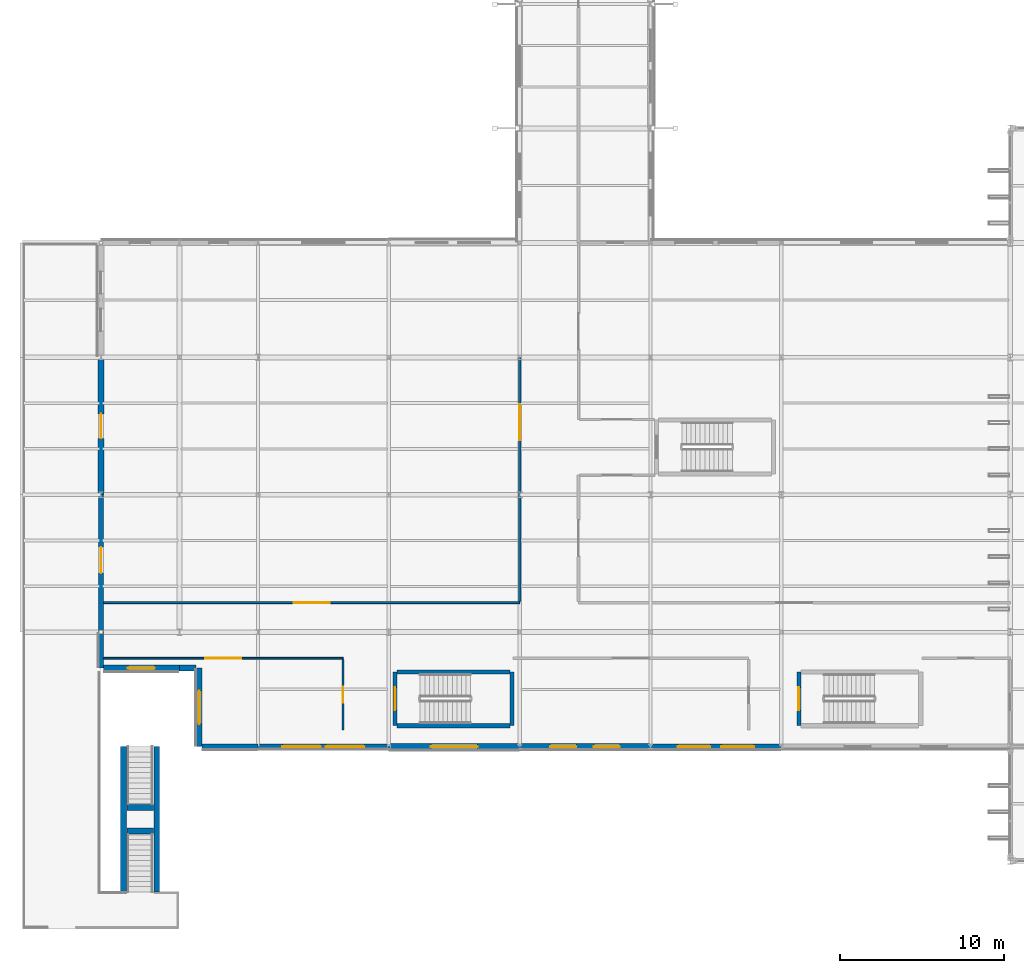
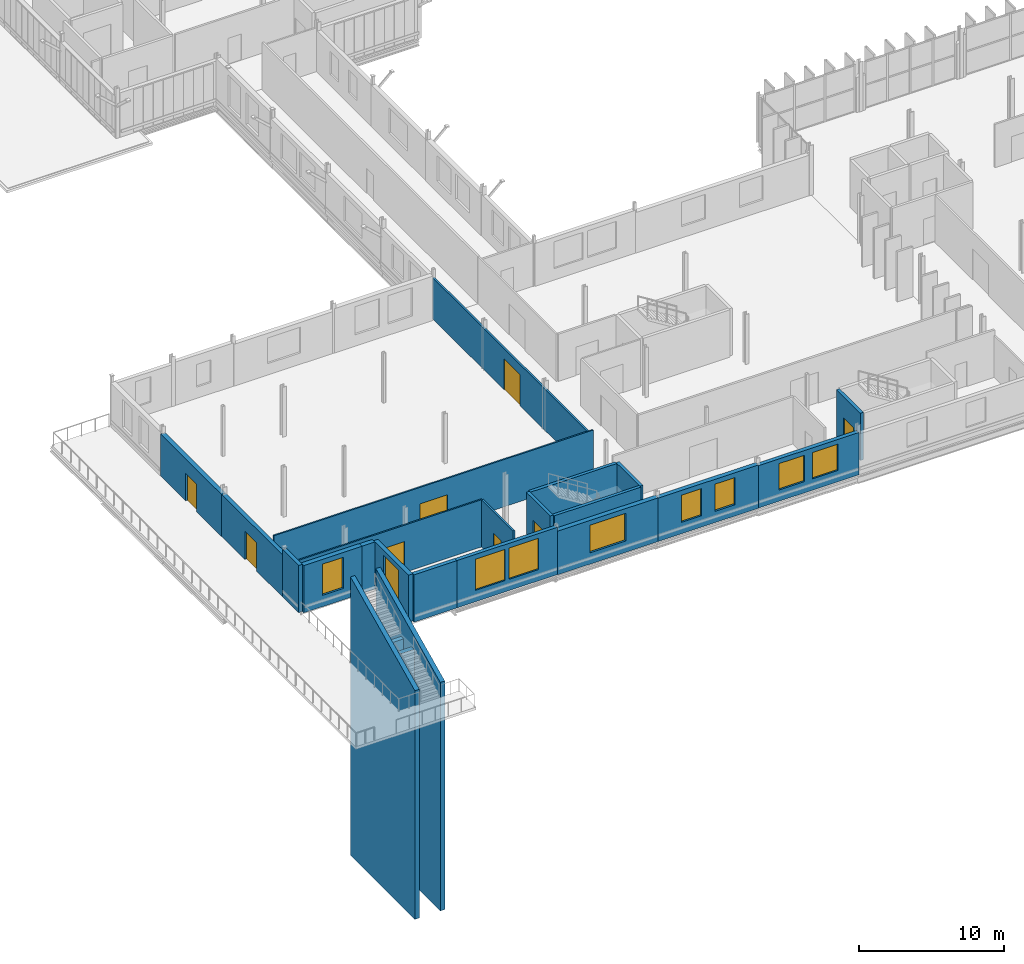
# One storey, part 78 of 101: 24 walls, 9 windows, 8 doors, 17 openings.
"""IFC4 building model written with IfcOpenShell, lengths in metres."""

from ifc_helpers import new_model, si_unit, direction, frame, frame_2d, origin, place, context, subcontext, project, spatial, polyline, rectangle, outline, extrude, material, layer, layer_set, type_object, element, fill, save


model = new_model("IFC4")

# Units and contexts
model_context = context("Model", 3, precision=1e-05, world=origin(), true_north=direction((0.0, 1.0)))
body_context = subcontext(model_context, "Body", "Model", "MODEL_VIEW")
ifc_project = project(units=[si_unit("LENGTHUNIT", "METRE"), si_unit("AREAUNIT", "SQUARE_METRE"), si_unit("VOLUMEUNIT", "CUBIC_METRE"), si_unit("PLANEANGLEUNIT", "RADIAN"), si_unit("MASSUNIT", "GRAM", prefix="KILO")], contexts=[model_context])

# Site, building, storey
site_placement = place(None, origin())
site = spatial("IfcSite", under=ifc_project, at=site_placement, CompositionType="ELEMENT")
building_placement = place(site_placement, origin())
building = spatial("IfcBuilding", under=site, at=building_placement, Name="Vekula Escarpment Museum", CompositionType="ELEMENT")
storey_placement = place(building_placement, frame((0.0, 0.0, 18.0)))
storey = spatial("IfcBuildingStorey", under=building, at=storey_placement, Name="L04", CompositionType="ELEMENT", Elevation=18.0)

# Wall, openings, windows
ifc_material_1 = material(Name="Inkisi arkosic sandstone masonry", Category="masonry")
ifc_layer_1 = layer(ifc_material_1, 0.300048828125)
ifc_layer_set_1 = layer_set([ifc_layer_1], Name="Inkisi arkosic sandstone masonry")
wall_type_1 = type_object("IfcWallType", Name="WL-ALM-300", PredefinedType="SOLIDWALL", material=ifc_layer_set_1)
wall_1_placement = place(storey_placement, frame((32.0, 52.60009765625, 0.0), z_axis=(0.0, 0.0, 1.0), x_axis=(-1.0, 0.0, 0.0)))
wall_1 = element("IfcWall", 1, at=wall_1_placement, inside=storey, type_object=wall_type_1, Name="Exterior Wall WL-EXT-L04-0687", PredefinedType="SOLIDWALL", context=body_context, shape_type="SweptSolid", body=[
    extrude(rectangle(XDim=8.0, YDim=0.300048828125, at=frame_2d((4.0, 0.0))), origin(), (0.0, 0.0, 1.0), 3.97998046875),
])
opening_1_placement = place(wall_1_placement, frame((1.49169921875, 0.0, 0.949951171875)))
opening_1 = element("IfcOpeningElement", 2, at=opening_1_placement, cuts=wall_1, Name="Opening WN-36", PredefinedType="OPENING", context=body_context, shape_type="SweptSolid", body=[
    extrude(rectangle(XDim=2.35009765625, YDim=2.6298828125, at=frame_2d((1.175048828125, 1.31494140625))), frame((0.0, 0.159912109375, 0.0), z_axis=(0.0, -1.0, 0.0), x_axis=(1.0, 0.0, 0.0)), (0.0, 0.0, 1.0), 0.320068359375),
])
opening_2_placement = place(wall_1_placement, frame((4.158203125, 0.0, 0.949951171875)))
opening_2 = element("IfcOpeningElement", 3, at=opening_2_placement, cuts=wall_1, Name="Opening WN-36", PredefinedType="OPENING", context=body_context, shape_type="SweptSolid", body=[
    extrude(rectangle(XDim=2.35009765625, YDim=2.6298828125, at=frame_2d((1.175048828125, 1.31494140625))), frame((0.0, 0.159912109375, 0.0), z_axis=(0.0, -1.0, 0.0), x_axis=(1.0, 0.0, 0.0)), (0.0, 0.0, 1.0), 0.320068359375),
])
ifc_material_2 = material(Name="Double solar-control low-E glass", Category="glass")
window_type_1 = type_object("IfcWindowType", Name="WN-GAL-23x36", PartitioningType="TRIPLE_PANEL_VERTICAL", PredefinedType="WINDOW", material=ifc_material_2)
window_1_placement = place(opening_1_placement, origin())
window_1 = element("IfcWindow", 4, at=window_1_placement, inside=storey, type_object=window_type_1, Name="Window L04-0358", OverallHeight=2.6298828125, OverallWidth=2.35009765625, PartitioningType="SINGLE_PANEL", PredefinedType="WINDOW", context=body_context, shape_type="SweptSolid", body=[
    extrude(rectangle(XDim=2.35009765625, YDim=2.6298828125, at=frame_2d((1.175048828125, 1.31494140625))), frame((0.0, 0.030029296875, 0.0), z_axis=(0.0, -1.0, 0.0), x_axis=(1.0, 0.0, 0.0)), (0.0, 0.0, 1.0), 0.06005859375),
])
fill(opening_1, window_1)
window_2_placement = place(opening_2_placement, origin())
window_2 = element("IfcWindow", 5, at=window_2_placement, inside=storey, type_object=window_type_1, Name="Window L04-0359", OverallHeight=2.6298828125, OverallWidth=2.35009765625, PartitioningType="SINGLE_PANEL", PredefinedType="WINDOW", context=body_context, shape_type="SweptSolid", body=[
    extrude(rectangle(XDim=2.35009765625, YDim=2.6298828125, at=frame_2d((1.175048828125, 1.31494140625))), frame((0.0, 0.030029296875, 0.0), z_axis=(0.0, -1.0, 0.0), x_axis=(1.0, 0.0, 0.0)), (0.0, 0.0, 1.0), 0.06005859375),
])
fill(opening_2, window_2)

# Walls
wall_2_placement = place(storey_placement, frame((14.39990234375, 57.39990234375, 0.0), z_axis=(0.0, 0.0, 1.0), x_axis=(0.0, 1.0, 0.0)))
element("IfcWall", 6, at=wall_2_placement, inside=storey, type_object=wall_type_1, Name="Exterior Wall WL-EXT-L04-0807", PredefinedType="SOLIDWALL", context=body_context, shape_type="SweptSolid", body=[
    extrude(rectangle(XDim=2.2001953125, YDim=0.300048828125, at=frame_2d((1.10009765625, 0.0))), origin(), (0.0, 0.0, 1.0), 3.97998046875),
])
ifc_material_3 = material(Name="Inkisi arkosic sandstone masonry", Category="masonry")
ifc_layer_2 = layer(ifc_material_3, 0.320068359375)
ifc_layer_set_2 = layer_set([ifc_layer_2], Name="Inkisi arkosic sandstone masonry")
wall_type_2 = type_object("IfcWallType", Name="WL-ALM-320", PredefinedType="SOLIDWALL", material=ifc_layer_set_2)
wall_3_placement = place(storey_placement, frame((24.0, 52.60009765625, 0.0), z_axis=(0.0, 0.0, 1.0), x_axis=(-1.0, 0.0, 0.0)))
element("IfcWall", 7, at=wall_3_placement, inside=storey, type_object=wall_type_2, Name="Exterior Wall WL-EXT-L04-0686", PredefinedType="SOLIDWALL", context=body_context, shape_type="SweptSolid", body=[
    extrude(rectangle(XDim=3.4208984375, YDim=0.320068359375, at=frame_2d((1.71044921875, 0.0))), origin(), (0.0, 0.0, 1.0), 3.97998046875),
])

# Wall, openings, windows
wall_4_placement = place(storey_placement, frame((56.0, 52.60009765625, 0.0), z_axis=(0.0, 0.0, 1.0), x_axis=(-1.0, 0.0, 0.0)))
wall_4 = element("IfcWall", 8, at=wall_4_placement, inside=storey, type_object=wall_type_2, Name="Exterior Wall WL-EXT-L04-0690", PredefinedType="SOLIDWALL", context=body_context, shape_type="SweptSolid", body=[
    extrude(rectangle(XDim=8.0, YDim=0.320068359375, at=frame_2d((4.0, 0.0))), origin(), (0.0, 0.0, 1.0), 3.56494140625),
])
opening_3_placement = place(wall_4_placement, frame((1.666748046875, 0.0, 0.949951171875)))
opening_3 = element("IfcOpeningElement", 9, at=opening_3_placement, cuts=wall_4, Name="Opening WN-03", PredefinedType="OPENING", context=body_context, shape_type="SweptSolid", body=[
    extrude(rectangle(XDim=2.0, YDim=2.219970703125, at=frame_2d((1.0, 1.10986328125))), frame((0.0, 0.169921875, 0.0), z_axis=(0.0, -1.0, 0.0), x_axis=(1.0, 0.0, 0.0)), (0.0, 0.0, 1.0), 0.340087890625),
])
opening_4_placement = place(wall_4_placement, frame((4.333251953125, 0.0, 0.949951171875)))
opening_4 = element("IfcOpeningElement", 10, at=opening_4_placement, cuts=wall_4, Name="Opening WN-03", PredefinedType="OPENING", context=body_context, shape_type="SweptSolid", body=[
    extrude(rectangle(XDim=2.0, YDim=2.219970703125, at=frame_2d((1.0, 1.10986328125))), frame((0.0, 0.169921875, 0.0), z_axis=(0.0, -1.0, 0.0), x_axis=(1.0, 0.0, 0.0)), (0.0, 0.0, 1.0), 0.340087890625),
])
ifc_material_4 = material(Name="Double solar-control low-E glass", Category="glass")
window_type_2 = type_object("IfcWindowType", Name="WN-PLINTH-20x36", PartitioningType="DOUBLE_PANEL_VERTICAL", PredefinedType="WINDOW", material=ifc_material_4)
window_3_placement = place(opening_3_placement, origin())
window_3 = element("IfcWindow", 11, at=window_3_placement, inside=storey, type_object=window_type_2, Name="Window L04-0363", OverallHeight=2.219970703125, OverallWidth=2.0, PartitioningType="SINGLE_PANEL", PredefinedType="WINDOW", context=body_context, shape_type="SweptSolid", body=[
    extrude(rectangle(XDim=2.0, YDim=2.219970703125, at=frame_2d((1.0, 1.10986328125))), frame((0.0, 0.030029296875, 0.0), z_axis=(0.0, -1.0, 0.0), x_axis=(1.0, 0.0, 0.0)), (0.0, 0.0, 1.0), 0.06005859375),
])
fill(opening_3, window_3)
window_4_placement = place(opening_4_placement, origin())
window_4 = element("IfcWindow", 12, at=window_4_placement, inside=storey, type_object=window_type_2, Name="Window L04-0364", OverallHeight=2.219970703125, OverallWidth=2.0, PartitioningType="SINGLE_PANEL", PredefinedType="WINDOW", context=body_context, shape_type="SweptSolid", body=[
    extrude(rectangle(XDim=2.0, YDim=2.219970703125, at=frame_2d((1.0, 1.10986328125))), frame((0.0, 0.030029296875, 0.0), z_axis=(0.0, -1.0, 0.0), x_axis=(1.0, 0.0, 0.0)), (0.0, 0.0, 1.0), 0.06005859375),
])
fill(opening_4, window_4)

# Wall, opening, door
wall_5_placement = place(storey_placement, frame((14.39990234375, 59.60009765625, 0.0), z_axis=(0.0, 0.0, 1.0), x_axis=(0.0, 1.0, 0.0)))
wall_5 = element("IfcWall", 13, at=wall_5_placement, inside=storey, type_object=wall_type_2, Name="Exterior Wall WL-EXT-L04-0806", PredefinedType="SOLIDWALL", context=body_context, shape_type="SweptSolid", body=[
    extrude(rectangle(XDim=8.39990234375, YDim=0.320068359375, at=frame_2d((4.199951171875, 0.0))), origin(), (0.0, 0.0, 1.0), 3.544921875),
])
opening_5_placement = place(wall_5_placement, frame((3.60009765625, 0.0, 0.0)))
opening_5 = element("IfcOpeningElement", 14, at=opening_5_placement, cuts=wall_5, Name="Opening D-TR41", PredefinedType="OPENING", context=body_context, shape_type="SweptSolid", body=[
    extrude(rectangle(XDim=1.60009765625, YDim=2.39990234375, at=frame_2d((0.800048828125, 1.199951171875))), frame((0.0, 0.169921875, 0.0), z_axis=(0.0, -1.0, 0.0), x_axis=(1.0, 0.0, 0.0)), (0.0, 0.0, 1.0), 0.340087890625),
])
ifc_material_5 = material(Name="Thermally broken glazed terrace door", Category="steel")
door_type_1 = type_object("IfcDoorType", Name="DR-TER-1600x2400", OperationType="NOTDEFINED", PredefinedType="DOOR", material=ifc_material_5)
door_1_placement = place(opening_5_placement, origin())
door_1 = element("IfcDoor", 15, at=door_1_placement, inside=storey, type_object=door_type_1, Name="Tier 3 Terrace Gallery Door D-TR41", OperationType="SINGLE_SWING_LEFT", OverallHeight=2.39990234375, OverallWidth=1.60009765625, PredefinedType="DOOR", context=body_context, shape_type="SweptSolid", body=[
    extrude(rectangle(XDim=1.60009765625, YDim=2.39990234375, at=frame_2d((0.800048828125, 1.199951171875))), frame((0.0, 0.02490234375, 0.0), z_axis=(0.0, -1.0, 0.0), x_axis=(1.0, 0.0, 0.0)), (0.0, 0.0, 1.0), 0.050048828125),
])
fill(opening_5, door_1)

# Wall, opening, window
ifc_material_6 = material(Name="Inkisi arkosic sandstone masonry", Category="masonry")
ifc_layer_3 = layer(ifc_material_6, 0.35009765625)
ifc_layer_set_3 = layer_set([ifc_layer_3], Name="Inkisi arkosic sandstone masonry")
wall_type_3 = type_object("IfcWallType", Name="WL-ALM-350", PredefinedType="SOLIDWALL", material=ifc_layer_set_3)
wall_6_placement = place(storey_placement, frame((20.39990234375, 52.60009765625, 0.0), z_axis=(0.0, 0.0, 1.0), x_axis=(0.0, 1.0, 0.0)))
wall_6 = element("IfcWall", 16, at=wall_6_placement, inside=storey, type_object=wall_type_3, Name="Exterior Wall WL-EXT-L04-0685", PredefinedType="SOLIDWALL", context=body_context, shape_type="SweptSolid", body=[
    extrude(rectangle(XDim=4.7998046875, YDim=0.35009765625, at=frame_2d((2.39990234375, 0.0))), origin(), (0.0, 0.0, 1.0), 3.97998046875),
])
opening_6_placement = place(wall_6_placement, frame((1.375, 0.0, 0.949951171875)))
opening_6 = element("IfcOpeningElement", 17, at=opening_6_placement, cuts=wall_6, Name="Opening WN-35", PredefinedType="OPENING", context=body_context, shape_type="SweptSolid", body=[
    extrude(rectangle(XDim=2.050048828125, YDim=2.6298828125, at=frame_2d((1.02490234375, 1.31494140625))), frame((0.0, 0.18505859375, 0.0), z_axis=(0.0, -1.0, 0.0), x_axis=(1.0, 0.0, 0.0)), (0.0, 0.0, 1.0), 0.3701171875),
])
ifc_material_7 = material(Name="Double solar-control low-E glass", Category="glass")
window_type_3 = type_object("IfcWindowType", Name="WN-GAL-20x34", PartitioningType="DOUBLE_PANEL_VERTICAL", PredefinedType="WINDOW", material=ifc_material_7)
window_5_placement = place(opening_6_placement, origin())
window_5 = element("IfcWindow", 18, at=window_5_placement, inside=storey, type_object=window_type_3, Name="Window L04-0357", OverallHeight=2.6298828125, OverallWidth=2.050048828125, PartitioningType="SINGLE_PANEL", PredefinedType="WINDOW", context=body_context, shape_type="SweptSolid", body=[
    extrude(rectangle(XDim=2.050048828125, YDim=2.6298828125, at=frame_2d((1.02490234375, 1.31494140625))), frame((0.0, 0.030029296875, 0.0), z_axis=(0.0, -1.0, 0.0), x_axis=(1.0, 0.0, 0.0)), (0.0, 0.0, 1.0), 0.06005859375),
])
fill(opening_6, window_5)

# Wall, openings, windows
wall_7_placement = place(storey_placement, frame((48.0, 52.60009765625, 0.0), z_axis=(0.0, 0.0, 1.0), x_axis=(-1.0, 0.0, 0.0)))
wall_7 = element("IfcWall", 19, at=wall_7_placement, inside=storey, type_object=wall_type_3, Name="Exterior Wall WL-EXT-L04-0689", PredefinedType="SOLIDWALL", context=body_context, shape_type="SweptSolid", body=[
    extrude(rectangle(XDim=8.0, YDim=0.35009765625, at=frame_2d((4.0, 0.0))), origin(), (0.0, 0.0, 1.0), 3.64501953125),
])
opening_7_placement = place(wall_7_placement, frame((1.86669921875, 0.0, 0.949951171875)))
opening_7 = element("IfcOpeningElement", 20, at=opening_7_placement, cuts=wall_7, Name="Opening WN-01", PredefinedType="OPENING", context=body_context, shape_type="SweptSolid", body=[
    extrude(rectangle(XDim=1.60009765625, YDim=2.2900390625, at=frame_2d((0.800048828125, 1.14501953125))), frame((0.0, 0.18505859375, 0.0), z_axis=(0.0, -1.0, 0.0), x_axis=(1.0, 0.0, 0.0)), (0.0, 0.0, 1.0), 0.3701171875),
])
opening_8_placement = place(wall_7_placement, frame((4.533203125, 0.0, 0.949951171875)))
opening_8 = element("IfcOpeningElement", 21, at=opening_8_placement, cuts=wall_7, Name="Opening WN-01", PredefinedType="OPENING", context=body_context, shape_type="SweptSolid", body=[
    extrude(rectangle(XDim=1.60009765625, YDim=2.2900390625, at=frame_2d((0.800048828125, 1.14501953125))), frame((0.0, 0.18505859375, 0.0), z_axis=(0.0, -1.0, 0.0), x_axis=(1.0, 0.0, 0.0)), (0.0, 0.0, 1.0), 0.3701171875),
])
ifc_material_8 = material(Name="Double solar-control low-E glass", Category="glass")
window_type_4 = type_object("IfcWindowType", Name="WN-PLINTH-16x28", PartitioningType="SINGLE_PANEL", PredefinedType="WINDOW", material=ifc_material_8)
window_6_placement = place(opening_7_placement, origin())
window_6 = element("IfcWindow", 22, at=window_6_placement, inside=storey, type_object=window_type_4, Name="Window L04-0361", OverallHeight=2.2900390625, OverallWidth=1.60009765625, PartitioningType="SINGLE_PANEL", PredefinedType="WINDOW", context=body_context, shape_type="SweptSolid", body=[
    extrude(rectangle(XDim=1.60009765625, YDim=2.2900390625, at=frame_2d((0.800048828125, 1.14501953125))), frame((0.0, 0.030029296875, 0.0), z_axis=(0.0, -1.0, 0.0), x_axis=(1.0, 0.0, 0.0)), (0.0, 0.0, 1.0), 0.06005859375),
])
fill(opening_7, window_6)
window_7_placement = place(opening_8_placement, origin())
window_7 = element("IfcWindow", 23, at=window_7_placement, inside=storey, type_object=window_type_4, Name="Window L04-0362", OverallHeight=2.2900390625, OverallWidth=1.60009765625, PartitioningType="SINGLE_PANEL", PredefinedType="WINDOW", context=body_context, shape_type="SweptSolid", body=[
    extrude(rectangle(XDim=1.60009765625, YDim=2.2900390625, at=frame_2d((0.800048828125, 1.14501953125))), frame((0.0, 0.030029296875, 0.0), z_axis=(0.0, -1.0, 0.0), x_axis=(1.0, 0.0, 0.0)), (0.0, 0.0, 1.0), 0.06005859375),
])
fill(opening_8, window_7)

# Wall, opening, door
wall_8_placement = place(storey_placement, frame((14.39990234375, 68.0, 0.0), z_axis=(0.0, 0.0, 1.0), x_axis=(0.0, 1.0, 0.0)))
wall_8 = element("IfcWall", 24, at=wall_8_placement, inside=storey, type_object=wall_type_3, Name="Exterior Wall WL-EXT-L04-0805", PredefinedType="SOLIDWALL", context=body_context, shape_type="SweptSolid", body=[
    extrude(rectangle(XDim=8.39990234375, YDim=0.35009765625, at=frame_2d((4.199951171875, 0.0))), origin(), (0.0, 0.0, 1.0), 3.544921875),
])
opening_9_placement = place(wall_8_placement, frame((3.449951171875, 0.0, 0.0)))
opening_9 = element("IfcOpeningElement", 25, at=opening_9_placement, cuts=wall_8, Name="Opening D-TR42", PredefinedType="OPENING", context=body_context, shape_type="SweptSolid", body=[
    extrude(rectangle(XDim=1.5, YDim=2.300048828125, at=frame_2d((0.75, 1.14990234375))), frame((0.0, 0.18505859375, 0.0), z_axis=(0.0, -1.0, 0.0), x_axis=(1.0, 0.0, 0.0)), (0.0, 0.0, 1.0), 0.3701171875),
])
ifc_material_9 = material(Name="Thermally broken glazed terrace door", Category="steel")
door_type_2 = type_object("IfcDoorType", Name="DR-TER-1500x2300", OperationType="NOTDEFINED", PredefinedType="DOOR", material=ifc_material_9)
door_2_placement = place(opening_9_placement, origin())
door_2 = element("IfcDoor", 26, at=door_2_placement, inside=storey, type_object=door_type_2, Name="Tier 3 Terrace Gallery Door D-TR42", OperationType="SINGLE_SWING_RIGHT", OverallHeight=2.300048828125, OverallWidth=1.5, PredefinedType="DOOR", context=body_context, shape_type="SweptSolid", body=[
    extrude(rectangle(XDim=1.5, YDim=2.300048828125, at=frame_2d((0.75, 1.14990234375))), frame((0.0, 0.02490234375, 0.0), z_axis=(0.0, -1.0, 0.0), x_axis=(1.0, 0.0, 0.0)), (0.0, 0.0, 1.0), 0.050048828125),
])
fill(opening_9, door_2)

# Wall
wall_9_placement = place(storey_placement, frame((20.220947265625, 57.39990234375, 0.0), z_axis=(0.0, 0.0, 1.0), x_axis=(-1.0, 0.0, 0.0)))
element("IfcWall", 27, at=wall_9_placement, inside=storey, type_object=wall_type_3, Name="Exterior Wall WL-EXT-L04-0809", PredefinedType="SOLIDWALL", context=body_context, shape_type="SweptSolid", body=[
    extrude(rectangle(XDim=1.02099609375, YDim=0.35009765625, at=frame_2d((0.510498046875, 0.0))), origin(), (0.0, 0.0, 1.0), 3.97998046875),
])

# Wall, opening, window
ifc_material_10 = material(Name="Inkisi arkosic sandstone masonry", Category="masonry")
ifc_layer_4 = layer(ifc_material_10, 0.3798828125)
ifc_layer_set_4 = layer_set([ifc_layer_4], Name="Inkisi arkosic sandstone masonry")
wall_type_4 = type_object("IfcWallType", Name="WL-ALM-380", PredefinedType="SOLIDWALL", material=ifc_layer_set_4)
wall_10_placement = place(storey_placement, frame((40.0, 52.60009765625, 0.0), z_axis=(0.0, 0.0, 1.0), x_axis=(-1.0, 0.0, 0.0)))
wall_10 = element("IfcWall", 28, at=wall_10_placement, inside=storey, type_object=wall_type_4, Name="Exterior Wall WL-EXT-L04-0688", PredefinedType="SOLIDWALL", context=body_context, shape_type="SweptSolid", body=[
    extrude(rectangle(XDim=8.0, YDim=0.3798828125, at=frame_2d((4.0, 0.0))), origin(), (0.0, 0.0, 1.0), 3.68505859375),
])
opening_10_placement = place(wall_10_placement, frame((2.574951171875, 0.0, 0.949951171875)))
opening_10 = element("IfcOpeningElement", 29, at=opening_10_placement, cuts=wall_10, Name="Opening WN-38", PredefinedType="OPENING", context=body_context, shape_type="SweptSolid", body=[
    extrude(rectangle(XDim=2.85009765625, YDim=2.330078125, at=frame_2d((1.425048828125, 1.1650390625))), frame((0.0, 0.199951171875, 0.0), z_axis=(0.0, -1.0, 0.0), x_axis=(1.0, 0.0, 0.0)), (0.0, 0.0, 1.0), 0.39990234375),
])
ifc_material_11 = material(Name="Double solar-control low-E glass", Category="glass")
window_type_5 = type_object("IfcWindowType", Name="WN-GAL-28x42", PartitioningType="TRIPLE_PANEL_VERTICAL", PredefinedType="WINDOW", material=ifc_material_11)
window_8_placement = place(opening_10_placement, origin())
window_8 = element("IfcWindow", 30, at=window_8_placement, inside=storey, type_object=window_type_5, Name="Window L04-0360", OverallHeight=2.330078125, OverallWidth=2.85009765625, PartitioningType="SINGLE_PANEL", PredefinedType="WINDOW", context=body_context, shape_type="SweptSolid", body=[
    extrude(rectangle(XDim=2.85009765625, YDim=2.330078125, at=frame_2d((1.425048828125, 1.1650390625))), frame((0.0, 0.030029296875, 0.0), z_axis=(0.0, -1.0, 0.0), x_axis=(1.0, 0.0, 0.0)), (0.0, 0.0, 1.0), 0.06005859375),
])
fill(opening_10, window_8)

wall_11_placement = place(storey_placement, frame((19.199951171875, 57.39990234375, 0.0), z_axis=(0.0, 0.0, 1.0), x_axis=(-1.0, 0.0, 0.0)))
wall_11 = element("IfcWall", 31, at=wall_11_placement, inside=storey, type_object=wall_type_4, Name="Exterior Wall WL-EXT-L04-0808", PredefinedType="SOLIDWALL", context=body_context, shape_type="SweptSolid", body=[
    extrude(rectangle(XDim=4.64599609375, YDim=0.3798828125, at=frame_2d((2.322998046875, 0.0))), origin(), (0.0, 0.0, 1.0), 3.97998046875),
])
opening_11_placement = place(wall_11_placement, frame((1.498046875, 0.0, 0.949951171875)))
opening_11 = element("IfcOpeningElement", 32, at=opening_11_placement, cuts=wall_11, Name="Opening WN-33", PredefinedType="OPENING", context=body_context, shape_type="SweptSolid", body=[
    extrude(rectangle(XDim=1.64990234375, YDim=2.6298828125, at=frame_2d((0.824951171875, 1.31494140625))), frame((0.0, 0.199951171875, 0.0), z_axis=(0.0, -1.0, 0.0), x_axis=(1.0, 0.0, 0.0)), (0.0, 0.0, 1.0), 0.39990234375),
])
ifc_material_12 = material(Name="Double solar-control low-E glass", Category="glass")
window_type_6 = type_object("IfcWindowType", Name="WN-GAL-16x29", PartitioningType="DOUBLE_PANEL_VERTICAL", PredefinedType="WINDOW", material=ifc_material_12)
window_9_placement = place(opening_11_placement, origin())
window_9 = element("IfcWindow", 33, at=window_9_placement, inside=storey, type_object=window_type_6, Name="Window L04-0445", OverallHeight=2.6298828125, OverallWidth=1.64990234375, PartitioningType="SINGLE_PANEL", PredefinedType="WINDOW", context=body_context, shape_type="SweptSolid", body=[
    extrude(rectangle(XDim=1.64990234375, YDim=2.6298828125, at=frame_2d((0.824951171875, 1.31494140625))), frame((0.0, 0.030029296875, 0.0), z_axis=(0.0, -1.0, 0.0), x_axis=(1.0, 0.0, 0.0)), (0.0, 0.0, 1.0), 0.06005859375),
])
fill(opening_11, window_9)

# Walls
ifc_material_13 = material(Name="Inkisi arkosic sandstone masonry", Category="masonry")
ifc_layer_5 = layer(ifc_material_13, 0.360107421875)
ifc_layer_set_5 = layer_set([ifc_layer_5], Name="Inkisi arkosic sandstone masonry")
wall_type_5 = type_object("IfcWallType", Name="WL-AMP-CHEEK", PredefinedType="SOLIDWALL", material=ifc_layer_set_5)
for number, where, z_axis, x_axis, name in (
    (34, (15.7900390625, 43.7099609375, -18.0), (0.0, 0.0, 1.0), (0.0, 1.0, 0.0), "Escarpment Plinth Stepped Cheek Wall ST-AMP-S4 W"),
    (35, (17.81005859375, 43.7099609375, -18.0), (0.0, 0.0, 1.0), (0.0, 1.0, 0.0), "Escarpment Plinth Stepped Cheek Wall ST-AMP-S4 E"),
):
    element("IfcWall", number, at=place(storey_placement, frame(where, z_axis=z_axis, x_axis=x_axis)), inside=storey, type_object=wall_type_5, Name=name, PredefinedType="SOLIDWALL", context=body_context, shape_type="SweptSolid", body=[
        extrude(outline(polyline([(0.0, 0.0), (8.89013671875, 0.0), (8.889892578125, 23.449951171875), (0.0, 19.25), (0.0, 0.0)])), frame((0.0, 0.18017578125, 0.0), z_axis=(0.0, -1.0, 0.0), x_axis=(1.0, 0.0, 0.0)), (0.0, 0.0, 1.0), 0.360107421875),
    ])
for number, where, z_axis, x_axis, name in (
    (36, (16.0, 47.429931640625, -18.0), (0.0, 0.0, 1.0), (1.0, 0.0, 0.0), "Escarpment Plinth Landing Pier Wall ST-AMP-S4-1A"),
    (37, (16.0, 48.8798828125, -18.0), (0.0, 0.0, 1.0), (1.0, 0.0, 0.0), "Escarpment Plinth Landing Pier Wall ST-AMP-S4-1B"),
):
    element("IfcWall", number, at=place(storey_placement, frame(where, z_axis=z_axis, x_axis=x_axis)), inside=storey, type_object=wall_type_5, Name=name, PredefinedType="SOLIDWALL", context=body_context, shape_type="SweptSolid", body=[
        extrude(rectangle(XDim=1.60009765625, YDim=0.360107421875, at=frame_2d((0.800048828125, 0.0))), origin(), (0.0, 0.0, 1.0), 19.89990234375),
    ])

# Wall, opening, door
ifc_material_14 = material(Name="Concrete C35/45", Category="concrete")
ifc_layer_6 = layer(ifc_material_14, 0.25)
ifc_layer_set_6 = layer_set([ifc_layer_6], Name="Concrete C35/45")
wall_type_6 = type_object("IfcWallType", Name="WL-CORE-250", PredefinedType="SHEAR", material=ifc_layer_set_6)
wall_12_placement = place(storey_placement, frame((57.074951171875, 53.875, 0.0), z_axis=(0.0, 0.0, 1.0), x_axis=(0.0, 1.0, 0.0)))
wall_12 = element("IfcWall", 38, at=wall_12_placement, inside=storey, type_object=wall_type_6, Name="Stair Core Wall ST-01 L04 W", PredefinedType="SHEAR", context=body_context, shape_type="SweptSolid", body=[
    extrude(rectangle(XDim=3.2900390625, YDim=0.25, at=frame_2d((1.64501953125, 0.0))), origin(), (0.0, 0.0, 1.0), 3.97998046875),
])
opening_12_placement = place(wall_12_placement, frame((0.945068359375, 0.0, 0.0)))
opening_12 = element("IfcOpeningElement", 39, at=opening_12_placement, cuts=wall_12, Name="Opening DR-FD60", PredefinedType="OPENING", context=body_context, shape_type="SweptSolid", body=[
    extrude(rectangle(XDim=1.39990234375, YDim=2.199951171875, at=frame_2d((0.699951171875, 1.10009765625))), frame((0.0, 0.135009765625, 0.0), z_axis=(0.0, -1.0, 0.0), x_axis=(1.0, 0.0, 0.0)), (0.0, 0.0, 1.0), 0.27001953125),
])
ifc_material_15 = material(Name="Fire-rated steel stair door", Category="steel")
door_type_3 = type_object("IfcDoorType", Name="DR-STAIR-1400x2200", OperationType="NOTDEFINED", PredefinedType="DOOR", material=ifc_material_15)
door_3_placement = place(opening_12_placement, origin())
door_3 = element("IfcDoor", 40, at=door_3_placement, inside=storey, type_object=door_type_3, Name="Protected Exit Stair Door ST-01 L04", OperationType="SINGLE_SWING_LEFT", OverallHeight=2.199951171875, OverallWidth=1.39990234375, PredefinedType="DOOR", context=body_context, shape_type="SweptSolid", body=[
    extrude(rectangle(XDim=1.39990234375, YDim=2.199951171875, at=frame_2d((0.699951171875, 1.10009765625))), frame((0.0, 0.02490234375, 0.0), z_axis=(0.0, -1.0, 0.0), x_axis=(1.0, 0.0, 0.0)), (0.0, 0.0, 1.0), 0.050048828125),
])
fill(opening_12, door_3)

wall_13_placement = place(storey_placement, frame((32.375, 53.875, 0.0), z_axis=(0.0, 0.0, 1.0), x_axis=(0.0, 1.0, 0.0)))
wall_13 = element("IfcWall", 41, at=wall_13_placement, inside=storey, type_object=wall_type_6, Name="Stair Core Wall ST-04 L04 W", PredefinedType="SHEAR", context=body_context, shape_type="SweptSolid", body=[
    extrude(rectangle(XDim=3.2900390625, YDim=0.25, at=frame_2d((1.64501953125, 0.0))), origin(), (0.0, 0.0, 1.0), 3.97998046875),
])
opening_13_placement = place(wall_13_placement, frame((0.945068359375, 0.0, 0.0)))
opening_13 = element("IfcOpeningElement", 42, at=opening_13_placement, cuts=wall_13, Name="Opening DR-FD60", PredefinedType="OPENING", context=body_context, shape_type="SweptSolid", body=[
    extrude(rectangle(XDim=1.39990234375, YDim=2.199951171875, at=frame_2d((0.699951171875, 1.10009765625))), frame((0.0, 0.135009765625, 0.0), z_axis=(0.0, -1.0, 0.0), x_axis=(1.0, 0.0, 0.0)), (0.0, 0.0, 1.0), 0.27001953125),
])
door_4_placement = place(opening_13_placement, origin())
door_4 = element("IfcDoor", 43, at=door_4_placement, inside=storey, type_object=door_type_3, Name="Protected Exit Stair Door ST-04 L04", OperationType="SINGLE_SWING_RIGHT", OverallHeight=2.199951171875, OverallWidth=1.39990234375, PredefinedType="DOOR", context=body_context, shape_type="SweptSolid", body=[
    extrude(rectangle(XDim=1.39990234375, YDim=2.199951171875, at=frame_2d((0.699951171875, 1.10009765625))), frame((0.0, 0.02490234375, 0.0), z_axis=(0.0, -1.0, 0.0), x_axis=(1.0, 0.0, 0.0)), (0.0, 0.0, 1.0), 0.050048828125),
])
fill(opening_13, door_4)

# Walls
wall_14_placement = place(storey_placement, frame((39.52490234375, 53.875, 0.0), z_axis=(0.0, 0.0, 1.0), x_axis=(0.0, 1.0, 0.0)))
element("IfcWall", 44, at=wall_14_placement, inside=storey, type_object=wall_type_6, Name="Stair Core Wall ST-04 L04 E", PredefinedType="SHEAR", context=body_context, shape_type="SweptSolid", body=[
    extrude(rectangle(XDim=3.2900390625, YDim=0.25, at=frame_2d((1.64501953125, 0.0))), origin(), (0.0, 0.0, 1.0), 3.97998046875),
])
for number, where, z_axis, x_axis, name in (
    (45, (32.50390625, 53.875, 0.0), (0.0, 0.0, 1.0), (1.0, 0.0, 0.0), "Stair Core Wall ST-04 L04 S"),
    (46, (32.50390625, 57.1650390625, 0.0), (0.0, 0.0, 1.0), (1.0, 0.0, 0.0), "Stair Core Wall ST-04 L04 N"),
):
    element("IfcWall", number, at=place(storey_placement, frame(where, z_axis=z_axis, x_axis=x_axis)), inside=storey, type_object=wall_type_6, Name=name, PredefinedType="SHEAR", context=body_context, shape_type="SweptSolid", body=[
        extrude(rectangle(XDim=6.89208984375, YDim=0.25, at=frame_2d((3.446044921875, 0.0))), origin(), (0.0, 0.0, 1.0), 3.97998046875),
    ])

# Wall, opening, door
ifc_material_16 = material(Name="Lightweight studio partition", Category="gypsum")
ifc_layer_7 = layer(ifc_material_16, 0.1201171875)
ifc_layer_set_7 = layer_set([ifc_layer_7], Name="Lightweight studio partition")
wall_type_7 = type_object("IfcWallType", Name="WL-PART-120", PredefinedType="PARTITIONING", material=ifc_layer_set_7)
wall_15_placement = place(storey_placement, frame((14.56396484375, 61.39990234375, 0.0), z_axis=(0.0, 0.0, 1.0), x_axis=(1.0, 0.0, 0.0)))
wall_15 = element("IfcWall", 47, at=wall_15_placement, inside=storey, type_object=wall_type_7, Name="Interior Partition WL-INT-L04-0009", PredefinedType="PARTITIONING", context=body_context, shape_type="SweptSolid", body=[
    extrude(rectangle(XDim=25.43603515625, YDim=0.1201171875, at=frame_2d((12.718017578125, 0.0))), origin(), (0.0, 0.0, 1.0), 3.97998046875),
])
opening_14_placement = place(wall_15_placement, frame((11.617919921875, 0.0, 0.0)))
opening_14 = element("IfcOpeningElement", 48, at=opening_14_placement, cuts=wall_15, Name="Opening DR-GL22", PredefinedType="OPENING", context=body_context, shape_type="SweptSolid", body=[
    extrude(rectangle(XDim=2.199951171875, YDim=2.60009765625, at=frame_2d((1.10009765625, 1.300048828125))), frame((0.0, 0.070068359375, 0.0), z_axis=(0.0, -1.0, 0.0), x_axis=(1.0, 0.0, 0.0)), (0.0, 0.0, 1.0), 0.14013671875),
])
ifc_material_17 = material(Name="Double acoustic timber gallery door", Category="wood")
door_type_4 = type_object("IfcDoorType", Name="DR-GAL-2200x2600", OperationType="NOTDEFINED", PredefinedType="DOOR", material=ifc_material_17)
door_5_placement = place(opening_14_placement, origin())
door_5 = element("IfcDoor", 49, at=door_5_placement, inside=storey, type_object=door_type_4, Name="Interior Door L04-007", OperationType="SINGLE_SWING_LEFT", OverallHeight=2.60009765625, OverallWidth=2.199951171875, PredefinedType="DOOR", context=body_context, shape_type="SweptSolid", body=[
    extrude(rectangle(XDim=2.199951171875, YDim=2.60009765625, at=frame_2d((1.10009765625, 1.300048828125))), frame((0.0, 0.02490234375, 0.0), z_axis=(0.0, -1.0, 0.0), x_axis=(1.0, 0.0, 0.0)), (0.0, 0.0, 1.0), 0.050048828125),
])
fill(opening_14, door_5)

wall_16_placement = place(storey_placement, frame((14.553955078125, 58.0, 0.0), z_axis=(0.0, 0.0, 1.0), x_axis=(1.0, 0.0, 0.0)))
wall_16 = element("IfcWall", 50, at=wall_16_placement, inside=storey, type_object=wall_type_7, Name="Interior Partition WL-INT-L04-0012", PredefinedType="PARTITIONING", context=body_context, shape_type="SweptSolid", body=[
    extrude(rectangle(XDim=14.64599609375, YDim=0.1201171875, at=frame_2d((7.322998046875, 0.0))), origin(), (0.0, 0.0, 1.0), 3.97998046875),
])
opening_15_placement = place(wall_16_placement, frame((6.222900390625, 0.0, 0.0)))
opening_15 = element("IfcOpeningElement", 51, at=opening_15_placement, cuts=wall_16, Name="Opening DR-GL22", PredefinedType="OPENING", context=body_context, shape_type="SweptSolid", body=[
    extrude(rectangle(XDim=2.199951171875, YDim=2.60009765625, at=frame_2d((1.10009765625, 1.300048828125))), frame((0.0, 0.070068359375, 0.0), z_axis=(0.0, -1.0, 0.0), x_axis=(1.0, 0.0, 0.0)), (0.0, 0.0, 1.0), 0.14013671875),
])
door_6_placement = place(opening_15_placement, origin())
door_6 = element("IfcDoor", 52, at=door_6_placement, inside=storey, type_object=door_type_4, Name="Interior Door L04-010", OperationType="SINGLE_SWING_RIGHT", OverallHeight=2.60009765625, OverallWidth=2.199951171875, PredefinedType="DOOR", context=body_context, shape_type="SweptSolid", body=[
    extrude(rectangle(XDim=2.199951171875, YDim=2.60009765625, at=frame_2d((1.10009765625, 1.300048828125))), frame((0.0, 0.02490234375, 0.0), z_axis=(0.0, -1.0, 0.0), x_axis=(1.0, 0.0, 0.0)), (0.0, 0.0, 1.0), 0.050048828125),
])
fill(opening_15, door_6)

ifc_material_18 = material(Name="Gypsum board dry-lined partition", Category="gypsum")
ifc_layer_8 = layer(ifc_material_18, 0.14990234375)
ifc_layer_set_8 = layer_set([ifc_layer_8], Name="Gypsum board dry-lined partition")
wall_type_8 = type_object("IfcWallType", Name="WL-PART-150", PredefinedType="PARTITIONING", material=ifc_layer_set_8)
wall_17_placement = place(storey_placement, frame((40.0, 61.464111328125, 0.0), z_axis=(0.0, 0.0, 1.0), x_axis=(0.0, 1.0, 0.0)))
wall_17 = element("IfcWall", 53, at=wall_17_placement, inside=storey, type_object=wall_type_8, Name="Interior Partition WL-INT-L04-0014", PredefinedType="PARTITIONING", context=body_context, shape_type="SweptSolid", body=[
    extrude(rectangle(XDim=21.935791015625, YDim=0.14990234375, at=frame_2d((10.9677734375, 0.0))), origin(), (0.0, 0.0, 1.0), 3.465087890625),
])
opening_16_placement = place(wall_17_placement, frame((9.867919921875, 0.0, 0.0)))
opening_16 = element("IfcOpeningElement", 54, at=opening_16_placement, cuts=wall_17, Name="Opening DR-GL22", PredefinedType="OPENING", context=body_context, shape_type="SweptSolid", body=[
    extrude(rectangle(XDim=2.199951171875, YDim=2.60009765625, at=frame_2d((1.10009765625, 1.300048828125))), frame((0.0, 0.0849609375, 0.0), z_axis=(0.0, -1.0, 0.0), x_axis=(1.0, 0.0, 0.0)), (0.0, 0.0, 1.0), 0.169921875),
])
door_7_placement = place(opening_16_placement, origin())
door_7 = element("IfcDoor", 55, at=door_7_placement, inside=storey, type_object=door_type_4, Name="Interior Door L04-012", OperationType="SINGLE_SWING_RIGHT", OverallHeight=2.60009765625, OverallWidth=2.199951171875, PredefinedType="DOOR", context=body_context, shape_type="SweptSolid", body=[
    extrude(rectangle(XDim=2.199951171875, YDim=2.60009765625, at=frame_2d((1.10009765625, 1.300048828125))), frame((0.0, 0.02490234375, 0.0), z_axis=(0.0, -1.0, 0.0), x_axis=(1.0, 0.0, 0.0)), (0.0, 0.0, 1.0), 0.050048828125),
])
fill(opening_16, door_7)

wall_18_placement = place(storey_placement, frame((29.199951171875, 53.60009765625, 0.0), z_axis=(0.0, 0.0, 1.0), x_axis=(0.0, 1.0, 0.0)))
wall_18 = element("IfcWall", 56, at=wall_18_placement, inside=storey, type_object=wall_type_8, Name="Interior Partition WL-INT-L04-0020", PredefinedType="PARTITIONING", context=body_context, shape_type="SweptSolid", body=[
    extrude(rectangle(XDim=4.3359375, YDim=0.14990234375, at=frame_2d((2.16796875, 0.0))), origin(), (0.0, 0.0, 1.0), 3.97998046875),
])
opening_17_placement = place(wall_18_placement, frame((1.66796875, 0.0, 0.0)))
opening_17 = element("IfcOpeningElement", 57, at=opening_17_placement, cuts=wall_18, Name="Opening DR-OF10", PredefinedType="OPENING", context=body_context, shape_type="SweptSolid", body=[
    extrude(rectangle(XDim=1.0, YDim=2.14990234375, at=frame_2d((0.5, 1.074951171875))), frame((0.0, 0.0849609375, 0.0), z_axis=(0.0, -1.0, 0.0), x_axis=(1.0, 0.0, 0.0)), (0.0, 0.0, 1.0), 0.169921875),
])
ifc_material_19 = material(Name="Solid core timber study door", Category="wood")
door_type_5 = type_object("IfcDoorType", Name="DR-OFF-1000x2150", OperationType="NOTDEFINED", PredefinedType="DOOR", material=ifc_material_19)
door_8_placement = place(opening_17_placement, origin())
door_8 = element("IfcDoor", 58, at=door_8_placement, inside=storey, type_object=door_type_5, Name="Interior Door L04-018", OperationType="SINGLE_SWING_RIGHT", OverallHeight=2.14990234375, OverallWidth=1.0, PredefinedType="DOOR", context=body_context, shape_type="SweptSolid", body=[
    extrude(rectangle(XDim=1.0, YDim=2.14990234375, at=frame_2d((0.5, 1.074951171875))), frame((0.0, 0.02490234375, 0.0), z_axis=(0.0, -1.0, 0.0), x_axis=(1.0, 0.0, 0.0)), (0.0, 0.0, 1.0), 0.050048828125),
])
fill(opening_17, door_8)

save(model, "model.ifc")
